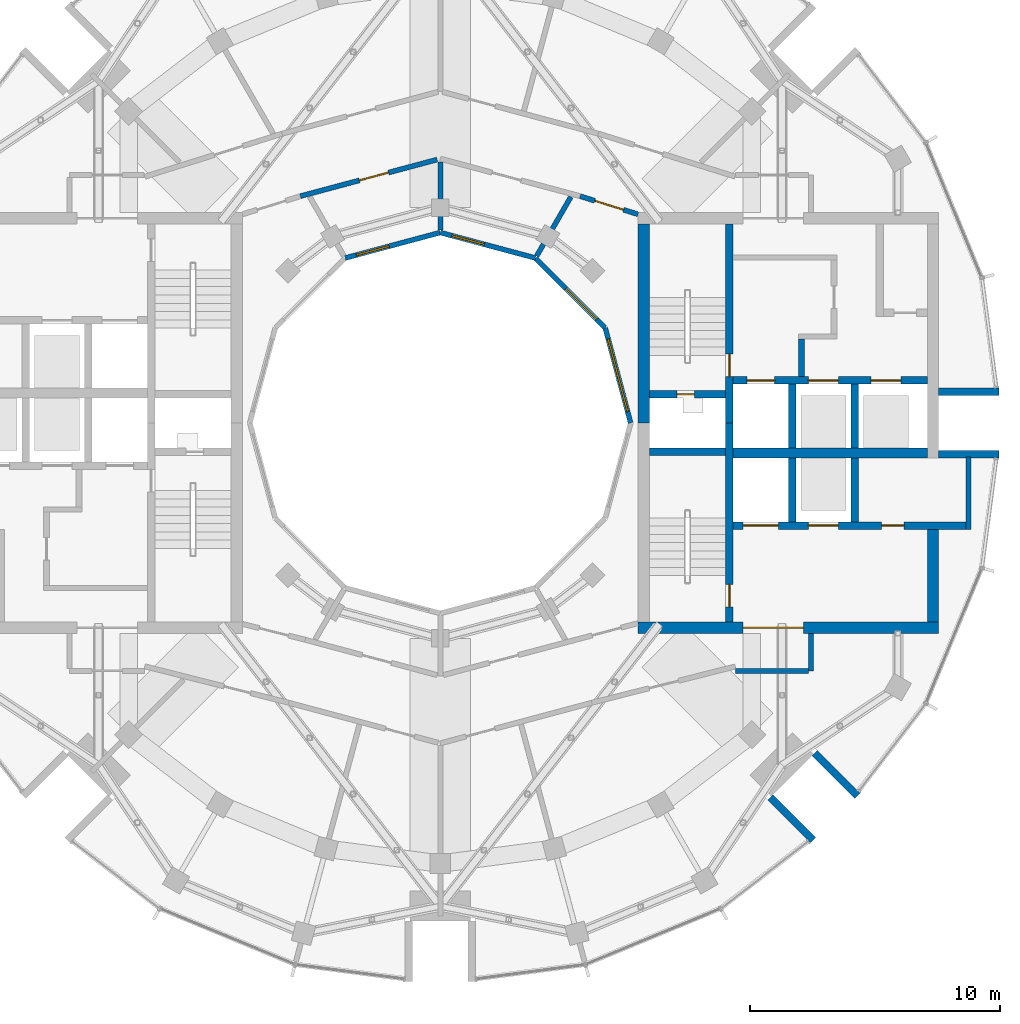
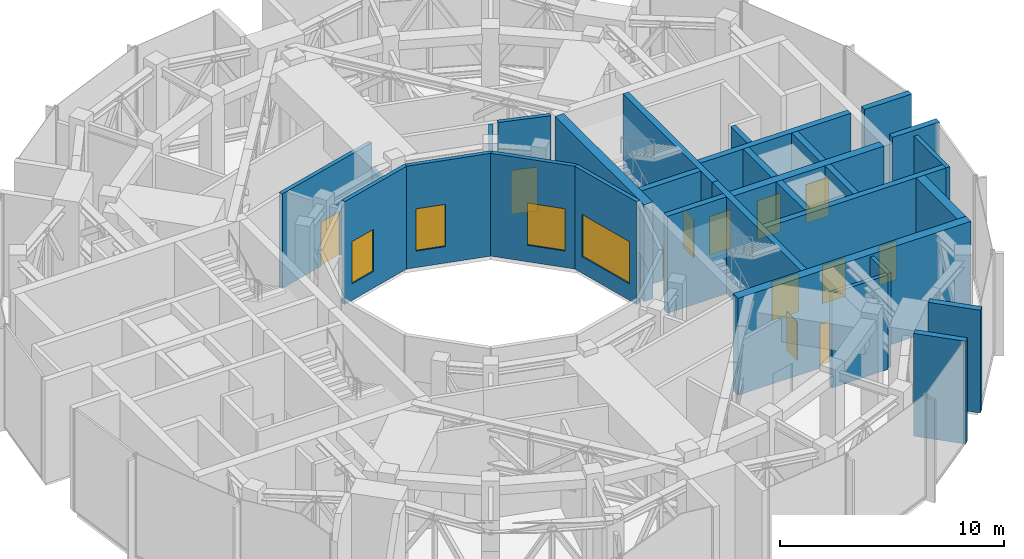
# One storey, part 13 of 17: 30 walls, 12 doors, 4 windows, 16 openings.
"""IFC4 building model written with IfcOpenShell, lengths in metres."""

from ifc_helpers import new_model, si_unit, direction, frame, frame_2d, origin, place, context, subcontext, project, spatial, rectangle, extrude, material, layer, layer_set, type_object, element, fill, save


model = new_model("IFC4")

# Units and contexts
model_context = context("Model", 3, precision=1e-05, world=origin(), true_north=direction((0.0, 1.0)))
body_context = subcontext(model_context, "Body", "Model", "MODEL_VIEW")
ifc_project = project(units=[si_unit("LENGTHUNIT", "METRE"), si_unit("AREAUNIT", "SQUARE_METRE"), si_unit("VOLUMEUNIT", "CUBIC_METRE"), si_unit("PLANEANGLEUNIT", "RADIAN"), si_unit("MASSUNIT", "GRAM", prefix="KILO")], contexts=[model_context])

# Site, building, storey
site_placement = place(None, origin())
site = spatial("IfcSite", under=ifc_project, at=site_placement, CompositionType="ELEMENT")
building_placement = place(site_placement, origin())
building = spatial("IfcBuilding", under=site, at=building_placement, Name="Torre Brocal", CompositionType="ELEMENT")
storey_placement = place(building_placement, frame((0.0, 0.0, 309.300048828125)))
storey = spatial("IfcBuildingStorey", under=building, at=storey_placement, Name="L71", CompositionType="ELEMENT", Elevation=309.300048828125)

# Walls
ifc_material_1 = material(Name="Masonry block", Category="masonry")
ifc_layer_1 = layer(ifc_material_1, 0.199951171875)
ifc_layer_set_1 = layer_set([ifc_layer_1], Name="Masonry block")
wall_type_1 = type_object("IfcWallType", Name="CORE PARTITION 200", PredefinedType="PARTITIONING", material=ifc_layer_set_1)
wall_1_placement = place(storey_placement, frame((101.10009765625, 70.75, 0.0), z_axis=(0.0, 0.0, 1.0), x_axis=(0.0, 1.0, 0.0)))
element("IfcWall", 1, at=wall_1_placement, inside=storey, type_object=wall_type_1, Name="Wall CP200", PredefinedType="PARTITIONING", context=body_context, shape_type="SweptSolid", body=[
    extrude(rectangle(XDim=2.89990234375, YDim=0.199951171875, at=frame_2d((1.449951171875, 0.0))), origin(), (0.0, 0.0, 1.0), 5.280029296875),
])
ifc_material_2 = material(Name="Concrete C50", Category="concrete")
ifc_layer_2 = layer(ifc_material_2, 0.25)
ifc_layer_set_2 = layer_set([ifc_layer_2], Name="Concrete C50")
wall_type_2 = type_object("IfcWallType", Name="CORE WALL 250 C50", PredefinedType="SHEAR", material=ifc_layer_set_2)
wall_2_placement = place(storey_placement, frame((94.425048828125, 76.85009765625, 0.0), z_axis=(0.0, 0.0, 1.0), x_axis=(0.0, 1.0, 0.0)))
element("IfcWall", 2, at=wall_2_placement, inside=storey, type_object=wall_type_2, Name="Wall CW250-50", PredefinedType="SHEAR", context=body_context, shape_type="SweptSolid", body=[
    extrude(rectangle(XDim=1.5, YDim=0.25, at=frame_2d((0.75, 0.0))), origin(), (0.0, 0.0, 1.0), 5.280029296875),
])

# Wall, opening, door
ifc_material_3 = material(Name="Concrete C50", Category="concrete")
ifc_layer_3 = layer(ifc_material_3, 0.300048828125)
ifc_layer_set_3 = layer_set([ifc_layer_3], Name="Concrete C50")
wall_type_3 = type_object("IfcWallType", Name="CORE WALL 300 C50", PredefinedType="SHEAR", material=ifc_layer_set_3)
wall_3_placement = place(storey_placement, frame((91.550048828125, 75.0, 0.0), z_axis=(0.0, 0.0, 1.0), x_axis=(0.0, 1.0, 0.0)))
wall_3 = element("IfcWall", 3, at=wall_3_placement, inside=storey, type_object=wall_type_3, Name="Wall CW300-50", PredefinedType="SHEAR", context=body_context, shape_type="SweptSolid", body=[
    extrude(rectangle(XDim=7.949951171875, YDim=0.300048828125, at=frame_2d((3.97509765625, 0.0))), origin(), (0.0, 0.0, 1.0), 5.280029296875),
])
opening_1_placement = place(wall_3_placement, frame((1.85009765625, 0.0, 0.0)))
opening_1 = element("IfcOpeningElement", 4, at=opening_1_placement, cuts=wall_3, Name="Opening E-D02", PredefinedType="OPENING", context=body_context, shape_type="SweptSolid", body=[
    extrude(rectangle(XDim=0.89990234375, YDim=2.10009765625, at=frame_2d((0.449951171875, 1.050048828125))), frame((0.0, 0.159912109375, 0.0), z_axis=(0.0, -1.0, 0.0), x_axis=(1.0, 0.0, 0.0)), (0.0, 0.0, 1.0), 0.320068359375),
])
ifc_material_4 = material(Name="Steel A653", Category="steel")
door_type_1 = type_object("IfcDoorType", Name="STAIR DOOR FD120 900X2100", OperationType="SINGLE_SWING_RIGHT", PredefinedType="DOOR", material=ifc_material_4)
door_1_placement = place(opening_1_placement, origin())
door_1 = element("IfcDoor", 5, at=door_1_placement, inside=storey, type_object=door_type_1, Name="Door E-D02", OperationType="SINGLE_SWING_LEFT", OverallHeight=2.10009765625, OverallWidth=0.89990234375, PredefinedType="DOOR", context=body_context, shape_type="SweptSolid", body=[
    extrude(rectangle(XDim=0.89990234375, YDim=2.10009765625, at=frame_2d((0.449951171875, 1.050048828125))), frame((0.0, 0.02490234375, 0.0), z_axis=(0.0, -1.0, 0.0), x_axis=(1.0, 0.0, 0.0)), (0.0, 0.0, 1.0), 0.050048828125),
])
fill(opening_1, door_1)

wall_4_placement = place(storey_placement, frame((91.550048828125, 67.050048828125, 0.0), z_axis=(0.0, 0.0, 1.0), x_axis=(0.0, 1.0, 0.0)))
wall_4 = element("IfcWall", 6, at=wall_4_placement, inside=storey, type_object=wall_type_3, Name="Wall CW300-50", PredefinedType="SHEAR", context=body_context, shape_type="SweptSolid", body=[
    extrude(rectangle(XDim=7.949951171875, YDim=0.300048828125, at=frame_2d((3.97509765625, 0.0))), origin(), (0.0, 0.0, 1.0), 5.280029296875),
])
opening_2_placement = place(wall_4_placement, frame((0.60009765625, 0.0, 0.0)))
opening_2 = element("IfcOpeningElement", 7, at=opening_2_placement, cuts=wall_4, Name="Opening E-D03", PredefinedType="OPENING", context=body_context, shape_type="SweptSolid", body=[
    extrude(rectangle(XDim=0.89990234375, YDim=2.10009765625, at=frame_2d((0.449951171875, 1.050048828125))), frame((0.0, 0.159912109375, 0.0), z_axis=(0.0, -1.0, 0.0), x_axis=(1.0, 0.0, 0.0)), (0.0, 0.0, 1.0), 0.320068359375),
])
door_2_placement = place(opening_2_placement, origin())
door_2 = element("IfcDoor", 8, at=door_2_placement, inside=storey, type_object=door_type_1, Name="Door E-D03", OperationType="SINGLE_SWING_LEFT", OverallHeight=2.10009765625, OverallWidth=0.89990234375, PredefinedType="DOOR", context=body_context, shape_type="SweptSolid", body=[
    extrude(rectangle(XDim=0.89990234375, YDim=2.10009765625, at=frame_2d((0.449951171875, 1.050048828125))), frame((0.0, 0.02490234375, 0.0), z_axis=(0.0, -1.0, 0.0), x_axis=(1.0, 0.0, 0.0)), (0.0, 0.0, 1.0), 0.050048828125),
])
fill(opening_2, door_2)

wall_5_placement = place(storey_placement, frame((88.35009765625, 76.14990234375, 0.0), z_axis=(0.0, 0.0, 1.0), x_axis=(1.0, 0.0, 0.0)))
wall_5 = element("IfcWall", 9, at=wall_5_placement, inside=storey, type_object=wall_type_3, Name="Wall CW300-50", PredefinedType="SHEAR", context=body_context, shape_type="SweptSolid", body=[
    extrude(rectangle(XDim=3.0498046875, YDim=0.300048828125, at=frame_2d((1.52490234375, 0.0))), origin(), (0.0, 0.0, 1.0), 5.280029296875),
])
opening_3_placement = place(wall_5_placement, frame((1.10009765625, 0.0, 0.0)))
opening_3 = element("IfcOpeningElement", 10, at=opening_3_placement, cuts=wall_5, Name="Opening E-D01", PredefinedType="OPENING", context=body_context, shape_type="SweptSolid", body=[
    extrude(rectangle(XDim=0.699951171875, YDim=2.0, at=frame_2d((0.35009765625, 1.0))), frame((0.0, 0.159912109375, 0.0), z_axis=(0.0, -1.0, 0.0), x_axis=(1.0, 0.0, 0.0)), (0.0, 0.0, 1.0), 0.320068359375),
])
ifc_material_5 = material(Name="Steel A653", Category="steel")
door_type_2 = type_object("IfcDoorType", Name="RISER DOOR FD120 700X2000", OperationType="SINGLE_SWING_LEFT", PredefinedType="DOOR", material=ifc_material_5)
door_3_placement = place(opening_3_placement, frame((0.699951171875, 0.0, 0.0), z_axis=(0.0, 0.0, 1.0), x_axis=(-1.0, 0.0, 0.0)))
door_3 = element("IfcDoor", 11, at=door_3_placement, inside=storey, type_object=door_type_2, Name="Door E-D01", OperationType="SINGLE_SWING_RIGHT", OverallHeight=2.0, OverallWidth=0.699951171875, PredefinedType="DOOR", context=body_context, shape_type="SweptSolid", body=[
    extrude(rectangle(XDim=0.699951171875, YDim=2.0, at=frame_2d((0.35009765625, 1.0))), frame((0.0, 0.02490234375, 0.0), z_axis=(0.0, -1.0, 0.0), x_axis=(1.0, 0.0, 0.0)), (0.0, 0.0, 1.0), 0.050048828125),
])
fill(opening_3, door_3)

# Wall
wall_6_placement = place(storey_placement, frame((88.35009765625, 73.85009765625, 0.0), z_axis=(0.0, 0.0, 1.0), x_axis=(1.0, 0.0, 0.0)))
element("IfcWall", 12, at=wall_6_placement, inside=storey, type_object=wall_type_3, Name="Wall CW300-50", PredefinedType="SHEAR", context=body_context, shape_type="SweptSolid", body=[
    extrude(rectangle(XDim=3.0498046875, YDim=0.300048828125, at=frame_2d((1.52490234375, 0.0))), origin(), (0.0, 0.0, 1.0), 5.280029296875),
])

# Wall, openings, doors
wall_7_placement = place(storey_placement, frame((91.699951171875, 76.699951171875, 0.0), z_axis=(0.0, 0.0, 1.0), x_axis=(1.0, 0.0, 0.0)))
wall_7 = element("IfcWall", 13, at=wall_7_placement, inside=storey, type_object=wall_type_3, Name="Wall CW300-50", PredefinedType="SHEAR", context=body_context, shape_type="SweptSolid", body=[
    extrude(rectangle(XDim=7.75, YDim=0.300048828125, at=frame_2d((3.875, 0.0))), origin(), (0.0, 0.0, 1.0), 5.280029296875),
])
opening_4_placement = place(wall_7_placement, frame((0.550048828125, 0.0, 0.0)))
opening_4 = element("IfcOpeningElement", 14, at=opening_4_placement, cuts=wall_7, Name="Opening LD", PredefinedType="OPENING", context=body_context, shape_type="SweptSolid", body=[
    extrude(rectangle(XDim=1.10009765625, YDim=2.10009765625, at=frame_2d((0.550048828125, 1.050048828125))), frame((0.0, 0.159912109375, 0.0), z_axis=(0.0, -1.0, 0.0), x_axis=(1.0, 0.0, 0.0)), (0.0, 0.0, 1.0), 0.320068359375),
])
opening_5_placement = place(wall_7_placement, frame((3.0, 0.0, 0.0)))
opening_5 = element("IfcOpeningElement", 15, at=opening_5_placement, cuts=wall_7, Name="Opening LD12", PredefinedType="OPENING", context=body_context, shape_type="SweptSolid", body=[
    extrude(rectangle(XDim=1.199951171875, YDim=2.10009765625, at=frame_2d((0.60009765625, 1.050048828125))), frame((0.0, 0.159912109375, 0.0), z_axis=(0.0, -1.0, 0.0), x_axis=(1.0, 0.0, 0.0)), (0.0, 0.0, 1.0), 0.320068359375),
])
opening_6_placement = place(wall_7_placement, frame((5.5, 0.0, 0.0)))
opening_6 = element("IfcOpeningElement", 16, at=opening_6_placement, cuts=wall_7, Name="Opening LD12", PredefinedType="OPENING", context=body_context, shape_type="SweptSolid", body=[
    extrude(rectangle(XDim=1.199951171875, YDim=2.10009765625, at=frame_2d((0.60009765625, 1.050048828125))), frame((0.0, 0.159912109375, 0.0), z_axis=(0.0, -1.0, 0.0), x_axis=(1.0, 0.0, 0.0)), (0.0, 0.0, 1.0), 0.320068359375),
])
ifc_material_6 = material(Name="Stainless steel AISI 316", Category="steel")
door_type_3 = type_object("IfcDoorType", Name="LIFT LANDING DOOR 1100X2100", OperationType="DOUBLE_DOOR_SLIDING", PredefinedType="DOOR", material=ifc_material_6)
door_4_placement = place(opening_4_placement, origin())
door_4 = element("IfcDoor", 17, at=door_4_placement, inside=storey, type_object=door_type_3, Name="Door LD", OperationType="DOUBLE_DOOR_SLIDING", OverallHeight=2.10009765625, OverallWidth=1.10009765625, PredefinedType="DOOR", context=body_context, shape_type="SweptSolid", body=[
    extrude(rectangle(XDim=1.10009765625, YDim=2.10009765625, at=frame_2d((0.550048828125, 1.050048828125))), frame((0.0, 0.02490234375, 0.0), z_axis=(0.0, -1.0, 0.0), x_axis=(1.0, 0.0, 0.0)), (0.0, 0.0, 1.0), 0.050048828125),
])
fill(opening_4, door_4)
ifc_material_7 = material(Name="Stainless steel AISI 316", Category="steel")
door_type_4 = type_object("IfcDoorType", Name="LIFT LANDING DOOR 1200X2100", OperationType="DOUBLE_DOOR_SLIDING", PredefinedType="DOOR", material=ifc_material_7)
door_5_placement = place(opening_5_placement, origin())
door_5 = element("IfcDoor", 18, at=door_5_placement, inside=storey, type_object=door_type_4, Name="Door LD12", OperationType="DOUBLE_DOOR_SLIDING", OverallHeight=2.10009765625, OverallWidth=1.199951171875, PredefinedType="DOOR", context=body_context, shape_type="SweptSolid", body=[
    extrude(rectangle(XDim=1.199951171875, YDim=2.10009765625, at=frame_2d((0.60009765625, 1.050048828125))), frame((0.0, 0.02490234375, 0.0), z_axis=(0.0, -1.0, 0.0), x_axis=(1.0, 0.0, 0.0)), (0.0, 0.0, 1.0), 0.050048828125),
])
fill(opening_5, door_5)
door_6_placement = place(opening_6_placement, origin())
door_6 = element("IfcDoor", 19, at=door_6_placement, inside=storey, type_object=door_type_4, Name="Door LD12", OperationType="DOUBLE_DOOR_SLIDING", OverallHeight=2.10009765625, OverallWidth=1.199951171875, PredefinedType="DOOR", context=body_context, shape_type="SweptSolid", body=[
    extrude(rectangle(XDim=1.199951171875, YDim=2.10009765625, at=frame_2d((0.60009765625, 1.050048828125))), frame((0.0, 0.02490234375, 0.0), z_axis=(0.0, -1.0, 0.0), x_axis=(1.0, 0.0, 0.0)), (0.0, 0.0, 1.0), 0.050048828125),
])
fill(opening_6, door_6)

wall_8_placement = place(storey_placement, frame((91.699951171875, 70.89990234375, 0.0), z_axis=(0.0, 0.0, 1.0), x_axis=(1.0, 0.0, 0.0)))
wall_8 = element("IfcWall", 20, at=wall_8_placement, inside=storey, type_object=wall_type_3, Name="Wall CW300-50", PredefinedType="SHEAR", context=body_context, shape_type="SweptSolid", body=[
    extrude(rectangle(XDim=9.300048828125, YDim=0.300048828125, at=frame_2d((4.64990234375, 0.0))), origin(), (0.0, 0.0, 1.0), 5.280029296875),
])
opening_7_placement = place(wall_8_placement, frame((0.39990234375, 0.0, 0.0)))
opening_7 = element("IfcOpeningElement", 21, at=opening_7_placement, cuts=wall_8, Name="Opening LD14", PredefinedType="OPENING", context=body_context, shape_type="SweptSolid", body=[
    extrude(rectangle(XDim=1.39990234375, YDim=2.10009765625, at=frame_2d((0.699951171875, 1.050048828125))), frame((0.0, 0.159912109375, 0.0), z_axis=(0.0, -1.0, 0.0), x_axis=(1.0, 0.0, 0.0)), (0.0, 0.0, 1.0), 0.320068359375),
])
opening_8_placement = place(wall_8_placement, frame((3.0, 0.0, 0.0)))
opening_8 = element("IfcOpeningElement", 22, at=opening_8_placement, cuts=wall_8, Name="Opening LD12", PredefinedType="OPENING", context=body_context, shape_type="SweptSolid", body=[
    extrude(rectangle(XDim=1.199951171875, YDim=2.10009765625, at=frame_2d((0.60009765625, 1.050048828125))), frame((0.0, 0.159912109375, 0.0), z_axis=(0.0, -1.0, 0.0), x_axis=(1.0, 0.0, 0.0)), (0.0, 0.0, 1.0), 0.320068359375),
])
opening_9_placement = place(wall_8_placement, frame((5.925048828125, 0.0, 0.0)))
opening_9 = element("IfcOpeningElement", 23, at=opening_9_placement, cuts=wall_8, Name="Opening E-D04", PredefinedType="OPENING", context=body_context, shape_type="SweptSolid", body=[
    extrude(rectangle(XDim=0.89990234375, YDim=2.10009765625, at=frame_2d((0.449951171875, 1.050048828125))), frame((0.0, 0.159912109375, 0.0), z_axis=(0.0, -1.0, 0.0), x_axis=(1.0, 0.0, 0.0)), (0.0, 0.0, 1.0), 0.320068359375),
])
door_7_placement = place(opening_8_placement, origin())
door_7 = element("IfcDoor", 24, at=door_7_placement, inside=storey, type_object=door_type_4, Name="Door LD12", OperationType="DOUBLE_DOOR_SLIDING", OverallHeight=2.10009765625, OverallWidth=1.199951171875, PredefinedType="DOOR", context=body_context, shape_type="SweptSolid", body=[
    extrude(rectangle(XDim=1.199951171875, YDim=2.10009765625, at=frame_2d((0.60009765625, 1.050048828125))), frame((0.0, 0.02490234375, 0.0), z_axis=(0.0, -1.0, 0.0), x_axis=(1.0, 0.0, 0.0)), (0.0, 0.0, 1.0), 0.050048828125),
])
fill(opening_8, door_7)
ifc_material_8 = material(Name="Stainless steel AISI 316", Category="steel")
door_type_5 = type_object("IfcDoorType", Name="LIFT LANDING DOOR 1400X2100", OperationType="DOUBLE_DOOR_SLIDING", PredefinedType="DOOR", material=ifc_material_8)
door_8_placement = place(opening_7_placement, origin())
door_8 = element("IfcDoor", 25, at=door_8_placement, inside=storey, type_object=door_type_5, Name="Door LD14", OperationType="DOUBLE_DOOR_SLIDING", OverallHeight=2.10009765625, OverallWidth=1.39990234375, PredefinedType="DOOR", context=body_context, shape_type="SweptSolid", body=[
    extrude(rectangle(XDim=1.39990234375, YDim=2.10009765625, at=frame_2d((0.699951171875, 1.050048828125))), frame((0.0, 0.02490234375, 0.0), z_axis=(0.0, -1.0, 0.0), x_axis=(1.0, 0.0, 0.0)), (0.0, 0.0, 1.0), 0.050048828125),
])
fill(opening_7, door_8)
ifc_material_9 = material(Name="Steel A653", Category="steel")
door_type_6 = type_object("IfcDoorType", Name="ROOM DOOR FD30S 900X2100", OperationType="SINGLE_SWING_LEFT", PredefinedType="DOOR", material=ifc_material_9)
door_9_placement = place(opening_9_placement, origin())
door_9 = element("IfcDoor", 26, at=door_9_placement, inside=storey, type_object=door_type_6, Name="Door E-D04", OperationType="SINGLE_SWING_LEFT", OverallHeight=2.10009765625, OverallWidth=0.89990234375, PredefinedType="DOOR", context=body_context, shape_type="SweptSolid", body=[
    extrude(rectangle(XDim=0.89990234375, YDim=2.10009765625, at=frame_2d((0.449951171875, 1.050048828125))), frame((0.0, 0.02490234375, 0.0), z_axis=(0.0, -1.0, 0.0), x_axis=(1.0, 0.0, 0.0)), (0.0, 0.0, 1.0), 0.050048828125),
])
fill(opening_9, door_9)

# Walls
for number, where, z_axis, x_axis, name in (
    (27, (94.050048828125, 74.0, 0.0), (0.0, 0.0, 1.0), (0.0, 1.0, 0.0), "Wall CW300-50"),
    (28, (96.550048828125, 74.0, 0.0), (0.0, 0.0, 1.0), (0.0, 1.0, 0.0), "Wall CW300-50"),
    (29, (94.050048828125, 71.050048828125, 0.0), (0.0, 0.0, 1.0), (0.0, 1.0, 0.0), "Wall CW300-50"),
    (30, (96.550048828125, 71.050048828125, 0.0), (0.0, 0.0, 1.0), (0.0, 1.0, 0.0), "Wall CW300-50"),
):
    element("IfcWall", number, at=place(storey_placement, frame(where, z_axis=z_axis, x_axis=x_axis)), inside=storey, type_object=wall_type_3, Name=name, PredefinedType="SHEAR", context=body_context, shape_type="SweptSolid", body=[
        extrude(rectangle(XDim=2.550048828125, YDim=0.300048828125, at=frame_2d((1.27490234375, 0.0))), origin(), (0.0, 0.0, 1.0), 5.280029296875),
    ])
ifc_material_10 = material(Name="Concrete C50", Category="concrete")
ifc_layer_4 = layer(ifc_material_10, 0.39990234375)
ifc_layer_set_4 = layer_set([ifc_layer_4], Name="Concrete C50")
wall_type_4 = type_object("IfcWallType", Name="CORE WALL 400 C50", PredefinedType="SHEAR", material=ifc_layer_set_4)
wall_9_placement = place(storey_placement, frame((91.699951171875, 73.800048828125, 0.0), z_axis=(0.0, 0.0, 1.0), x_axis=(1.0, 0.0, 0.0)))
element("IfcWall", 31, at=wall_9_placement, inside=storey, type_object=wall_type_4, Name="Wall CW400-50", PredefinedType="SHEAR", context=body_context, shape_type="SweptSolid", body=[
    extrude(rectangle(XDim=7.75, YDim=0.39990234375, at=frame_2d((3.875, 0.0))), origin(), (0.0, 0.0, 1.0), 5.280029296875),
])

# Wall, opening, door
ifc_material_11 = material(Name="Concrete C50", Category="concrete")
ifc_layer_5 = layer(ifc_material_11, 0.449951171875)
ifc_layer_set_5 = layer_set([ifc_layer_5], Name="Concrete C50")
wall_type_5 = type_object("IfcWallType", Name="CORE WALL 450 C50", PredefinedType="SHEAR", material=ifc_layer_set_5)
wall_10_placement = place(storey_placement, frame((87.89990234375, 66.824951171875, 0.0), z_axis=(0.0, 0.0, 1.0), x_axis=(1.0, 0.0, 0.0)))
wall_10 = element("IfcWall", 32, at=wall_10_placement, inside=storey, type_object=wall_type_5, Name="Wall CW450-50", PredefinedType="SHEAR", context=body_context, shape_type="SweptSolid", body=[
    extrude(rectangle(XDim=12.0, YDim=0.449951171875, at=frame_2d((6.0, 0.0))), origin(), (0.0, 0.0, 1.0), 5.280029296875),
])
opening_10_placement = place(wall_10_placement, frame((4.199951171875, 0.0, 0.0)))
opening_10 = element("IfcOpeningElement", 33, at=opening_10_placement, cuts=wall_10, Name="Opening E-D27", PredefinedType="OPENING", context=body_context, shape_type="SweptSolid", body=[
    extrude(rectangle(XDim=2.39990234375, YDim=2.39990234375, at=frame_2d((1.199951171875, 1.199951171875))), frame((0.0, 0.23486328125, 0.0), z_axis=(0.0, -1.0, 0.0), x_axis=(1.0, 0.0, 0.0)), (0.0, 0.0, 1.0), 0.469970703125),
])
ifc_material_12 = material(Name="Steel A653", Category="steel")
door_type_7 = type_object("IfcDoorType", Name="DOUBLE FIRE DOOR FD90 2400X2400", OperationType="DOUBLE_DOOR_SINGLE_SWING", PredefinedType="DOOR", material=ifc_material_12)
door_10_placement = place(opening_10_placement, origin())
door_10 = element("IfcDoor", 34, at=door_10_placement, inside=storey, type_object=door_type_7, Name="Door E-D27", OperationType="DOUBLE_DOOR_SINGLE_SWING", OverallHeight=2.39990234375, OverallWidth=2.39990234375, PredefinedType="DOOR", context=body_context, shape_type="SweptSolid", body=[
    extrude(rectangle(XDim=2.39990234375, YDim=2.39990234375, at=frame_2d((1.199951171875, 1.199951171875))), frame((0.0, 0.02490234375, 0.0), z_axis=(0.0, -1.0, 0.0), x_axis=(1.0, 0.0, 0.0)), (0.0, 0.0, 1.0), 0.050048828125),
])
fill(opening_10, door_10)

# Walls
wall_11_placement = place(storey_placement, frame((88.125, 75.0, 0.0), z_axis=(0.0, 0.0, 1.0), x_axis=(0.0, 1.0, 0.0)))
element("IfcWall", 35, at=wall_11_placement, inside=storey, type_object=wall_type_5, Name="Wall CW450-50", PredefinedType="SHEAR", context=body_context, shape_type="SweptSolid", body=[
    extrude(rectangle(XDim=7.949951171875, YDim=0.449951171875, at=frame_2d((3.97509765625, 0.0))), origin(), (0.0, 0.0, 1.0), 5.280029296875),
])
wall_12_placement = place(storey_placement, frame((99.675048828125, 67.050048828125, 0.0), z_axis=(0.0, 0.0, 1.0), x_axis=(0.0, 1.0, 0.0)))
element("IfcWall", 36, at=wall_12_placement, inside=storey, type_object=wall_type_5, Name="Wall CW450-50", PredefinedType="SHEAR", context=body_context, shape_type="SweptSolid", body=[
    extrude(rectangle(XDim=3.699951171875, YDim=0.449951171875, at=frame_2d((1.85009765625, 0.0))), origin(), (0.0, 0.0, 1.0), 5.280029296875),
])
ifc_material_13 = material(Name="Concrete C50", Category="concrete")
ifc_layer_6 = layer(ifc_material_13, 0.300048828125)
ifc_layer_set_6 = layer_set([ifc_layer_6], Name="Concrete C50")
wall_type_6 = type_object("IfcWallType", Name="NOTCH RETURN WALL 300 C50", PredefinedType="NOTDEFINED", material=ifc_layer_set_6)
for number, where, z_axis, x_axis, name in (
    (37, (99.89990234375, 73.75, 0.0), (0.0, 0.0, 1.0), (1.0, 0.0, 0.0), "NOTCH RETURN WALL"),
    (38, (99.89990234375, 76.25, 0.0), (0.0, 0.0, 1.0), (1.0, 0.0, 0.0), "NOTCH RETURN WALL"),
    (39, (93.1875, 60.044677734375, 0.0), (0.0, 0.0, 1.0), (0.707106781187, -0.707106781187, 0.0), "NOTCH RETURN WALL"),
    (40, (94.955322265625, 61.8125, 0.0), (0.0, 0.0, 1.0), (0.707106781187, -0.707106781187, 0.0), "NOTCH RETURN WALL"),
):
    element("IfcWall", number, at=place(storey_placement, frame(where, z_axis=z_axis, x_axis=x_axis)), inside=storey, type_object=wall_type_6, Name=name, PredefinedType="NOTDEFINED", context=body_context, shape_type="SweptSolid", body=[
        extrude(rectangle(XDim=2.415771484375, YDim=0.300048828125, at=frame_2d((1.2080078125, 0.0))), origin(), (0.0, 0.0, 1.0), 5.599853515625),
    ])

# Wall, opening, door
ifc_material_14 = material(Name="Masonry block", Category="masonry")
ifc_layer_7 = layer(ifc_material_14, 0.199951171875)
ifc_layer_set_7 = layer_set([ifc_layer_7], Name="Masonry block")
wall_type_7 = type_object("IfcWallType", Name="PARTITION 200 EI120", PredefinedType="PARTITIONING", material=ifc_layer_set_7)
wall_13_placement = place(storey_placement, frame((74.4130859375, 84.056884765625, 0.0), z_axis=(0.0, 0.0, 1.0), x_axis=(0.965972135939, 0.258646153246, 0.0)))
wall_13 = element("IfcWall", 41, at=wall_13_placement, inside=storey, type_object=wall_type_7, Name="PLANT ROOM WALL", PredefinedType="PARTITIONING", context=body_context, shape_type="SweptSolid", body=[
    extrude(rectangle(XDim=5.654052734375, YDim=0.199951171875, at=frame_2d((2.8271484375, 0.0))), origin(), (0.0, 0.0, 1.0), 5.14990234375),
])
opening_11_placement = place(wall_13_placement, frame((2.442626953125, 0.0, 0.0)))
opening_11 = element("IfcOpeningElement", 42, at=opening_11_placement, cuts=wall_13, Name="Opening X3-D09", PredefinedType="OPENING", context=body_context, shape_type="SweptSolid", body=[
    extrude(rectangle(XDim=1.199951171875, YDim=2.39990234375, at=frame_2d((0.60009765625, 1.199951171875))), frame((0.0, 0.10986328125, 0.0), z_axis=(0.0, -1.0, 0.0), x_axis=(1.0, 0.0, 0.0)), (0.0, 0.0, 1.0), 0.219970703125),
])
ifc_material_15 = material(Name="Steel A653", Category="steel")
door_type_8 = type_object("IfcDoorType", Name="PLANT DOOR FD90 1200X2400", OperationType="SINGLE_SWING_RIGHT", PredefinedType="DOOR", material=ifc_material_15)
door_11_placement = place(opening_11_placement, frame((1.199951171875, 0.0, 0.0), z_axis=(0.0, 0.0, 1.0), x_axis=(-1.0, 0.0, 0.0)))
door_11 = element("IfcDoor", 43, at=door_11_placement, inside=storey, type_object=door_type_8, Name="X3-D09", OperationType="SINGLE_SWING_RIGHT", OverallHeight=2.39990234375, OverallWidth=1.199951171875, PredefinedType="DOOR", context=body_context, shape_type="SweptSolid", body=[
    extrude(rectangle(XDim=1.199951171875, YDim=2.39990234375, at=frame_2d((0.60009765625, 1.199951171875))), frame((0.0, 0.02490234375, 0.0), z_axis=(0.0, -1.0, 0.0), x_axis=(1.0, 0.0, 0.0)), (0.0, 0.0, 1.0), 0.050048828125),
])
fill(opening_11, door_11)

# Wall
wall_14_placement = place(storey_placement, frame((83.85009765625, 81.66650390625, 0.0), z_axis=(0.0, 0.0, 1.0), x_axis=(0.500185068774, 0.865918527909, 0.0)))
element("IfcWall", 44, at=wall_14_placement, inside=storey, type_object=wall_type_7, Name="PLANT ROOM WALL", PredefinedType="PARTITIONING", context=body_context, shape_type="SweptSolid", body=[
    extrude(rectangle(XDim=2.7255859375, YDim=0.199951171875, at=frame_2d((1.36279296875, 0.0))), origin(), (0.0, 0.0, 1.0), 5.14990234375),
])

# Wall, opening, door
wall_15_placement = place(storey_placement, frame((85.5869140625, 84.056884765625, 0.0), z_axis=(0.0, 0.0, 1.0), x_axis=(0.954239513179, -0.299043393987, 0.0)))
wall_15 = element("IfcWall", 45, at=wall_15_placement, inside=storey, type_object=wall_type_7, Name="PLANT ROOM WALL", PredefinedType="PARTITIONING", context=body_context, shape_type="SweptSolid", body=[
    extrude(rectangle(XDim=2.423828125, YDim=0.199951171875, at=frame_2d((1.2119140625, 0.0))), origin(), (0.0, 0.0, 1.0), 5.14990234375),
])
opening_12_placement = place(wall_15_placement, frame((0.612060546875, 0.0, 0.0)))
opening_12 = element("IfcOpeningElement", 46, at=opening_12_placement, cuts=wall_15, Name="Opening X3-D07", PredefinedType="OPENING", context=body_context, shape_type="SweptSolid", body=[
    extrude(rectangle(XDim=1.199951171875, YDim=2.39990234375, at=frame_2d((0.60009765625, 1.199951171875))), frame((0.0, 0.10986328125, 0.0), z_axis=(0.0, -1.0, 0.0), x_axis=(1.0, 0.0, 0.0)), (0.0, 0.0, 1.0), 0.219970703125),
])
door_12_placement = place(opening_12_placement, frame((1.199951171875, 0.0, 0.0), z_axis=(0.0, 0.0, 1.0), x_axis=(-1.0, 0.0, 0.0)))
door_12 = element("IfcDoor", 47, at=door_12_placement, inside=storey, type_object=door_type_8, Name="X3-D07", OperationType="SINGLE_SWING_LEFT", OverallHeight=2.39990234375, OverallWidth=1.199951171875, PredefinedType="DOOR", context=body_context, shape_type="SweptSolid", body=[
    extrude(rectangle(XDim=1.199951171875, YDim=2.39990234375, at=frame_2d((0.60009765625, 1.199951171875))), frame((0.0, 0.02490234375, 0.0), z_axis=(0.0, -1.0, 0.0), x_axis=(1.0, 0.0, 0.0)), (0.0, 0.0, 1.0), 0.050048828125),
])
fill(opening_12, door_12)

# Walls
wall_16_placement = place(storey_placement, frame((91.800048828125, 65.10009765625, 0.0), z_axis=(0.0, 0.0, 1.0), x_axis=(1.0, 0.0, 0.0)))
element("IfcWall", 48, at=wall_16_placement, inside=storey, type_object=wall_type_7, Name="PLANT ROOM WALL", PredefinedType="PARTITIONING", context=body_context, shape_type="SweptSolid", body=[
    extrude(rectangle(XDim=2.89990234375, YDim=0.199951171875, at=frame_2d((1.449951171875, 0.0))), origin(), (0.0, 0.0, 1.0), 5.14990234375),
])
wall_17_placement = place(storey_placement, frame((94.800048828125, 65.10009765625, 0.0), z_axis=(0.0, 0.0, 1.0), x_axis=(0.0, 1.0, 0.0)))
element("IfcWall", 49, at=wall_17_placement, inside=storey, type_object=wall_type_7, Name="PLANT ROOM WALL", PredefinedType="PARTITIONING", context=body_context, shape_type="SweptSolid", body=[
    extrude(rectangle(XDim=1.4990234375, YDim=0.199951171875, at=frame_2d((0.74951171875, 0.0))), origin(), (0.0, 0.0, 1.0), 5.14990234375),
])
ifc_material_16 = material(Name="Masonry block", Category="masonry")
ifc_layer_8 = layer(ifc_material_16, 0.199951171875)
ifc_layer_set_8 = layer_set([ifc_layer_8], Name="Masonry block")
wall_type_8 = type_object("IfcWallType", Name="PARTITION 200 EI120 UNDER BEAM 1920", PredefinedType="PARTITIONING", material=ifc_layer_set_8)
wall_18_placement = place(storey_placement, frame((80.0, 82.698974609375, 0.0), z_axis=(0.0, 0.0, 1.0), x_axis=(0.0, 1.0, 0.0)))
element("IfcWall", 50, at=wall_18_placement, inside=storey, type_object=wall_type_8, Name="PLANT ROOM WALL", PredefinedType="PARTITIONING", context=body_context, shape_type="SweptSolid", body=[
    extrude(rectangle(XDim=2.72509765625, YDim=0.199951171875, at=frame_2d((1.362548828125, 0.0))), origin(), (0.0, 0.0, 1.0), 3.679931640625),
])

# Wall, opening, window
ifc_material_17 = material(Name="Concrete C40", Category="concrete")
ifc_layer_9 = layer(ifc_material_17, 0.199951171875)
ifc_layer_set_9 = layer_set([ifc_layer_9], Name="Concrete C40")
wall_type_9 = type_object("IfcWallType", Name="WELL FACADE WALL 200", PredefinedType="NOTDEFINED", material=ifc_layer_set_9)
wall_19_placement = place(storey_placement, frame((87.603515625, 75.0, 0.0), z_axis=(0.0, 0.0, 1.0), x_axis=(-0.258789828301, 0.965933654434, 0.0)))
wall_19 = element("IfcWall", 51, at=wall_19_placement, inside=storey, type_object=wall_type_9, Name="WELL FACADE WALL", PredefinedType="NOTDEFINED", context=body_context, shape_type="SweptSolid", body=[
    extrude(rectangle(XDim=3.935791015625, YDim=0.199951171875, at=frame_2d((1.9677734375, 0.0))), origin(), (0.0, 0.0, 1.0), 5.599853515625),
])
opening_13_placement = place(wall_19_placement, frame((0.468017578125, 0.0, 0.89990234375)))
opening_13 = element("IfcOpeningElement", 52, at=opening_13_placement, cuts=wall_19, Name="Opening W1", PredefinedType="OPENING", context=body_context, shape_type="SweptSolid", body=[
    extrude(rectangle(XDim=3.0, YDim=2.300048828125, at=frame_2d((1.5, 1.14990234375))), frame((0.0, 0.10986328125, 0.0), z_axis=(0.0, -1.0, 0.0), x_axis=(1.0, 0.0, 0.0)), (0.0, 0.0, 1.0), 0.219970703125),
])
ifc_material_18 = material(Name="Aluminium and glass", Category="aluminium")
window_type_1 = type_object("IfcWindowType", Name="WELL WINDOW 3000X2300", PartitioningType="SINGLE_PANEL", PredefinedType="WINDOW", material=ifc_material_18)
window_1_placement = place(opening_13_placement, origin())
window_1 = element("IfcWindow", 53, at=window_1_placement, inside=storey, type_object=window_type_1, Name="WELL WINDOW 3000X2300", OverallHeight=2.300048828125, OverallWidth=3.0, PartitioningType="SINGLE_PANEL", PredefinedType="WINDOW", context=body_context, shape_type="SweptSolid", body=[
    extrude(rectangle(XDim=3.0, YDim=2.300048828125, at=frame_2d((1.5, 1.14990234375))), frame((0.0, 0.030029296875, 0.0), z_axis=(0.0, -1.0, 0.0), x_axis=(1.0, 0.0, 0.0)), (0.0, 0.0, 1.0), 0.06005859375),
])
fill(opening_13, window_1)

wall_20_placement = place(storey_placement, frame((86.5849609375, 78.8017578125, 0.0), z_axis=(0.0, 0.0, 1.0), x_axis=(-0.707106781187, 0.707106781187, 0.0)))
wall_20 = element("IfcWall", 54, at=wall_20_placement, inside=storey, type_object=wall_type_9, Name="WELL FACADE WALL", PredefinedType="NOTDEFINED", context=body_context, shape_type="SweptSolid", body=[
    extrude(rectangle(XDim=3.93603515625, YDim=0.199951171875, at=frame_2d((1.968017578125, 0.0))), origin(), (0.0, 0.0, 1.0), 5.599853515625),
])
opening_14_placement = place(wall_20_placement, frame((0.468017578125, 0.0, 0.89990234375)))
opening_14 = element("IfcOpeningElement", 55, at=opening_14_placement, cuts=wall_20, Name="Opening W10", PredefinedType="OPENING", context=body_context, shape_type="SweptSolid", body=[
    extrude(rectangle(XDim=1.75, YDim=2.300048828125, at=frame_2d((0.875, 1.14990234375))), frame((0.0, 0.10986328125, 0.0), z_axis=(0.0, -1.0, 0.0), x_axis=(1.0, 0.0, 0.0)), (0.0, 0.0, 1.0), 0.219970703125),
])
ifc_material_19 = material(Name="Aluminium and glass", Category="aluminium")
window_type_2 = type_object("IfcWindowType", Name="WELL WINDOW 1750X2300 BELT", PartitioningType="SINGLE_PANEL", PredefinedType="WINDOW", material=ifc_material_19)
window_2_placement = place(opening_14_placement, origin())
window_2 = element("IfcWindow", 56, at=window_2_placement, inside=storey, type_object=window_type_2, Name="WELL WINDOW 1750X2300 BELT", OverallHeight=2.300048828125, OverallWidth=1.75, PartitioningType="SINGLE_PANEL", PredefinedType="WINDOW", context=body_context, shape_type="SweptSolid", body=[
    extrude(rectangle(XDim=1.75, YDim=2.300048828125, at=frame_2d((0.875, 1.14990234375))), frame((0.0, 0.030029296875, 0.0), z_axis=(0.0, -1.0, 0.0), x_axis=(1.0, 0.0, 0.0)), (0.0, 0.0, 1.0), 0.06005859375),
])
fill(opening_14, window_2)

wall_21_placement = place(storey_placement, frame((83.8017578125, 81.5849609375, 0.0), z_axis=(0.0, 0.0, 1.0), x_axis=(-0.965933654434, 0.258789828301, 0.0)))
wall_21 = element("IfcWall", 57, at=wall_21_placement, inside=storey, type_object=wall_type_9, Name="WELL FACADE WALL", PredefinedType="NOTDEFINED", context=body_context, shape_type="SweptSolid", body=[
    extrude(rectangle(XDim=3.935791015625, YDim=0.199951171875, at=frame_2d((1.9677734375, 0.0))), origin(), (0.0, 0.0, 1.0), 5.599853515625),
])
opening_15_placement = place(wall_21_placement, frame((2.117919921875, 0.0, 0.89990234375)))
opening_15 = element("IfcOpeningElement", 58, at=opening_15_placement, cuts=wall_21, Name="Opening W11", PredefinedType="OPENING", context=body_context, shape_type="SweptSolid", body=[
    extrude(rectangle(XDim=1.35009765625, YDim=2.300048828125, at=frame_2d((0.675048828125, 1.14990234375))), frame((0.0, 0.10986328125, 0.0), z_axis=(0.0, -1.0, 0.0), x_axis=(1.0, 0.0, 0.0)), (0.0, 0.0, 1.0), 0.219970703125),
])
ifc_material_20 = material(Name="Aluminium and glass", Category="aluminium")
window_type_3 = type_object("IfcWindowType", Name="WELL WINDOW 1350X2300 BELT", PartitioningType="SINGLE_PANEL", PredefinedType="WINDOW", material=ifc_material_20)
window_3_placement = place(opening_15_placement, origin())
window_3 = element("IfcWindow", 59, at=window_3_placement, inside=storey, type_object=window_type_3, Name="WELL WINDOW 1350X2300 BELT", OverallHeight=2.300048828125, OverallWidth=1.35009765625, PartitioningType="SINGLE_PANEL", PredefinedType="WINDOW", context=body_context, shape_type="SweptSolid", body=[
    extrude(rectangle(XDim=1.35009765625, YDim=2.300048828125, at=frame_2d((0.675048828125, 1.14990234375))), frame((0.0, 0.030029296875, 0.0), z_axis=(0.0, -1.0, 0.0), x_axis=(1.0, 0.0, 0.0)), (0.0, 0.0, 1.0), 0.06005859375),
])
fill(opening_15, window_3)

wall_22_placement = place(storey_placement, frame((80.0, 82.603515625, 0.0), z_axis=(0.0, 0.0, 1.0), x_axis=(-0.965933654434, -0.258789828301, 0.0)))
wall_22 = element("IfcWall", 60, at=wall_22_placement, inside=storey, type_object=wall_type_9, Name="WELL FACADE WALL", PredefinedType="NOTDEFINED", context=body_context, shape_type="SweptSolid", body=[
    extrude(rectangle(XDim=3.935791015625, YDim=0.199951171875, at=frame_2d((1.9677734375, 0.0))), origin(), (0.0, 0.0, 1.0), 5.599853515625),
])
opening_16_placement = place(wall_22_placement, frame((2.117919921875, 0.0, 0.89990234375)))
opening_16 = element("IfcOpeningElement", 61, at=opening_16_placement, cuts=wall_22, Name="Opening W11", PredefinedType="OPENING", context=body_context, shape_type="SweptSolid", body=[
    extrude(rectangle(XDim=1.35009765625, YDim=2.300048828125, at=frame_2d((0.675048828125, 1.14990234375))), frame((0.0, 0.10986328125, 0.0), z_axis=(0.0, -1.0, 0.0), x_axis=(1.0, 0.0, 0.0)), (0.0, 0.0, 1.0), 0.219970703125),
])
window_4_placement = place(opening_16_placement, origin())
window_4 = element("IfcWindow", 62, at=window_4_placement, inside=storey, type_object=window_type_3, Name="WELL WINDOW 1350X2300 BELT", OverallHeight=2.300048828125, OverallWidth=1.35009765625, PartitioningType="SINGLE_PANEL", PredefinedType="WINDOW", context=body_context, shape_type="SweptSolid", body=[
    extrude(rectangle(XDim=1.35009765625, YDim=2.300048828125, at=frame_2d((0.675048828125, 1.14990234375))), frame((0.0, 0.030029296875, 0.0), z_axis=(0.0, -1.0, 0.0), x_axis=(1.0, 0.0, 0.0)), (0.0, 0.0, 1.0), 0.06005859375),
])
fill(opening_16, window_4)

save(model, "model.ifc")
